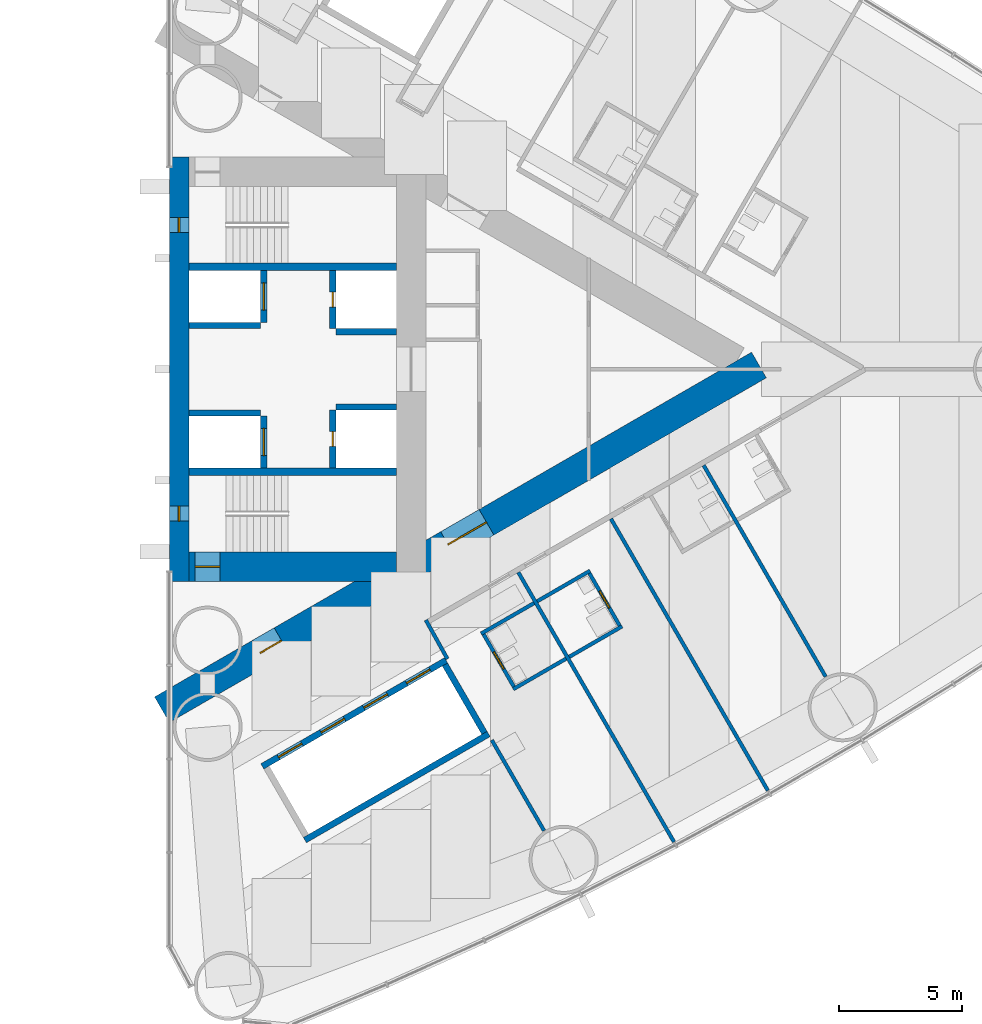
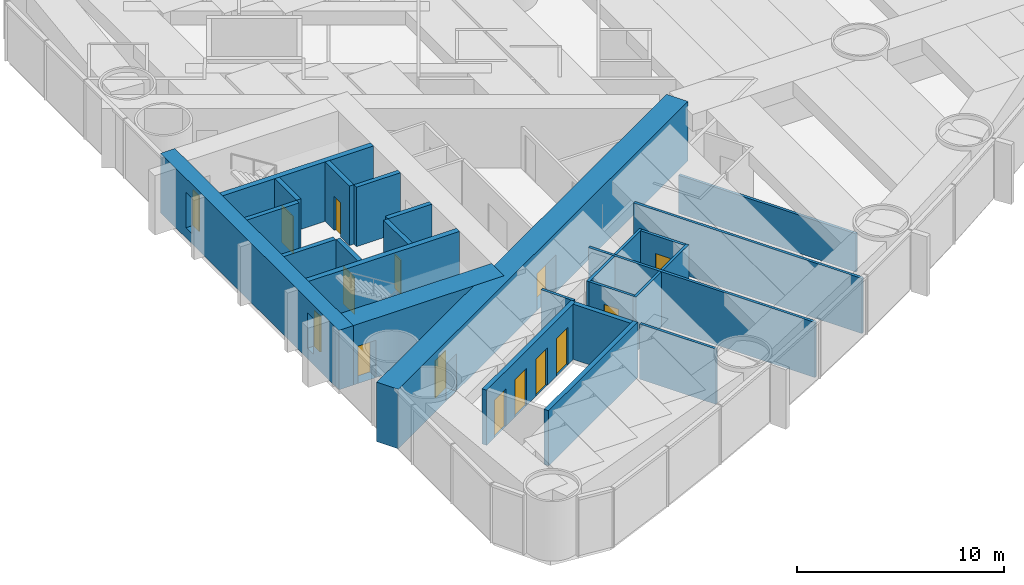
# One storey, part 14 of 19: 27 walls, 13 doors, 2 windows, 15 openings.
"""IFC4 building model written with IfcOpenShell, lengths in metres."""

from ifc_helpers import new_model, si_unit, direction, frame, frame_2d, origin, place, context, subcontext, project, spatial, rectangle, extrude, material, layer, layer_set, type_object, element, fill, save


model = new_model("IFC4")

# Units and contexts
model_context = context("Model", 3, precision=1e-05, world=origin(), true_north=direction((0.0, 1.0)))
body_context = subcontext(model_context, "Body", "Model", "MODEL_VIEW")
ifc_project = project(units=[si_unit("LENGTHUNIT", "METRE"), si_unit("AREAUNIT", "SQUARE_METRE"), si_unit("VOLUMEUNIT", "CUBIC_METRE"), si_unit("PLANEANGLEUNIT", "RADIAN"), si_unit("MASSUNIT", "GRAM", prefix="KILO")], contexts=[model_context])

# Site, building, storey
site_placement = place(None, origin())
site = spatial("IfcSite", under=ifc_project, at=site_placement, CompositionType="ELEMENT")
building_placement = place(site_placement, origin())
building = spatial("IfcBuilding", under=site, at=building_placement, Name="Lancet Gate Hotel", CompositionType="ELEMENT")
storey_placement = place(building_placement, frame((0.0, 0.0, 28.5)))
storey = spatial("IfcBuildingStorey", under=building, at=storey_placement, Name="L06", CompositionType="ELEMENT", Elevation=28.5)

# Wall
ifc_material_1 = material(Name="Moisture resistant board partition")
ifc_layer_1 = layer(ifc_material_1, 0.14990234375)
ifc_layer_set_1 = layer_set([ifc_layer_1], Name="Bathroom wall 150")
wall_type_1 = type_object("IfcWallType", Name="Bathroom wall 150", PredefinedType="PARTITIONING", material=ifc_layer_set_1)
wall_1_placement = place(storey_placement, frame((43.71240234375, -11.65673828125, 0.0), z_axis=(0.0, 0.0, 1.0), x_axis=(0.866006523861, 0.500032699561, 0.0)))
element("IfcWall", 1, at=wall_1_placement, inside=storey, type_object=wall_type_1, Name="T2 bathroom wall 150 L06", PredefinedType="PARTITIONING", context=body_context, shape_type="SweptSolid", body=[
    extrude(rectangle(XDim=2.474853515625, YDim=0.14990234375, at=frame_2d((1.2373046875, 0.0))), origin(), (0.0, 0.0, 1.0), 3.25),
])

# Wall, opening, door
wall_2_placement = place(storey_placement, frame((44.49072265625, -8.205078125, 0.0), z_axis=(0.0, 0.0, 1.0), x_axis=(0.500047596559, -0.865997922154, 0.0)))
wall_2 = element("IfcWall", 2, at=wall_2_placement, inside=storey, type_object=wall_type_1, Name="T2 bathroom wall 150 L06", PredefinedType="PARTITIONING", context=body_context, shape_type="SweptSolid", body=[
    extrude(rectangle(XDim=2.599853515625, YDim=0.14990234375, at=frame_2d((1.2998046875, 0.0))), origin(), (0.0, 0.0, 1.0), 3.25),
])
opening_1_placement = place(wall_2_placement, frame((0.89990234375, 0.0, 0.0)))
opening_1 = element("IfcOpeningElement", 3, at=opening_1_placement, cuts=wall_2, Name="Opening 0654-B", PredefinedType="OPENING", context=body_context, shape_type="SweptSolid", body=[
    extrude(rectangle(XDim=0.800048828125, YDim=2.199951171875, at=frame_2d((0.39990234375, 1.10009765625))), frame((0.0, 0.0849609375, 0.0), z_axis=(0.0, -1.0, 0.0), x_axis=(1.0, 0.0, 0.0)), (0.0, 0.0, 1.0), 0.169921875),
])
ifc_material_2 = material(Name="Timber door set", Category="wood")
door_type_1 = type_object("IfcDoorType", Name="Bathroom door 800", OperationType="SINGLE_SWING_RIGHT", PredefinedType="DOOR", material=ifc_material_2)
door_1_placement = place(opening_1_placement, origin())
door_1 = element("IfcDoor", 4, at=door_1_placement, inside=storey, type_object=door_type_1, Name="0654-B", OperationType="SINGLE_SWING_RIGHT", OverallHeight=2.199951171875, OverallWidth=0.800048828125, PredefinedType="DOOR", context=body_context, shape_type="SweptSolid", body=[
    extrude(rectangle(XDim=0.800048828125, YDim=2.199951171875, at=frame_2d((0.39990234375, 1.10009765625))), frame((0.0, 0.02490234375, 0.0), z_axis=(0.0, -1.0, 0.0), x_axis=(1.0, 0.0, 0.0)), (0.0, 0.0, 1.0), 0.050048828125),
])
fill(opening_1, door_1)

# Walls
wall_3_placement = place(storey_placement, frame((42.412353515625, -9.405029296875, 0.0), z_axis=(0.0, 0.0, 1.0), x_axis=(0.866006523861, 0.500032699561, 0.0)))
element("IfcWall", 5, at=wall_3_placement, inside=storey, type_object=wall_type_1, Name="T2 bathroom wall 150 L06", PredefinedType="PARTITIONING", context=body_context, shape_type="SweptSolid", body=[
    extrude(rectangle(XDim=2.474853515625, YDim=0.14990234375, at=frame_2d((1.2373046875, 0.0))), origin(), (0.0, 0.0, 1.0), 3.25),
])
wall_4_placement = place(storey_placement, frame((41.43896484375, -12.96923828125, 0.0), z_axis=(0.0, 0.0, 1.0), x_axis=(0.866031185235, 0.4999899861, 0.0)))
element("IfcWall", 6, at=wall_4_placement, inside=storey, type_object=wall_type_1, Name="T2 bathroom wall 150 L06", PredefinedType="PARTITIONING", context=body_context, shape_type="SweptSolid", body=[
    extrude(rectangle(XDim=2.47509765625, YDim=0.14990234375, at=frame_2d((1.237548828125, 0.0))), origin(), (0.0, 0.0, 1.0), 3.25),
])

# Wall, opening, door
wall_5_placement = place(storey_placement, frame((40.203857421875, -10.679931640625, 0.0), z_axis=(0.0, 0.0, 1.0), x_axis=(0.500006934395, -0.866021400173, 0.0)))
wall_5 = element("IfcWall", 7, at=wall_5_placement, inside=storey, type_object=wall_type_1, Name="T2 bathroom wall 150 L06", PredefinedType="PARTITIONING", context=body_context, shape_type="SweptSolid", body=[
    extrude(rectangle(XDim=2.60009765625, YDim=0.14990234375, at=frame_2d((1.300048828125, 0.0))), origin(), (0.0, 0.0, 1.0), 3.25),
])
opening_2_placement = place(wall_5_placement, frame((0.89990234375, 0.0, 0.0)))
opening_2 = element("IfcOpeningElement", 8, at=opening_2_placement, cuts=wall_5, Name="Opening 0653-B", PredefinedType="OPENING", context=body_context, shape_type="SweptSolid", body=[
    extrude(rectangle(XDim=0.800048828125, YDim=2.199951171875, at=frame_2d((0.39990234375, 1.10009765625))), frame((0.0, 0.0849609375, 0.0), z_axis=(0.0, -1.0, 0.0), x_axis=(1.0, 0.0, 0.0)), (0.0, 0.0, 1.0), 0.169921875),
])
door_2_placement = place(opening_2_placement, origin())
door_2 = element("IfcDoor", 9, at=door_2_placement, inside=storey, type_object=door_type_1, Name="0653-B", OperationType="SINGLE_SWING_RIGHT", OverallHeight=2.199951171875, OverallWidth=0.800048828125, PredefinedType="DOOR", context=body_context, shape_type="SweptSolid", body=[
    extrude(rectangle(XDim=0.800048828125, YDim=2.199951171875, at=frame_2d((0.39990234375, 1.10009765625))), frame((0.0, 0.02490234375, 0.0), z_axis=(0.0, -1.0, 0.0), x_axis=(1.0, 0.0, 0.0)), (0.0, 0.0, 1.0), 0.050048828125),
])
fill(opening_2, door_2)

# Wall
wall_6_placement = place(storey_placement, frame((40.138916015625, -10.717529296875, 0.0), z_axis=(0.0, 0.0, 1.0), x_axis=(0.866031185235, 0.4999899861, 0.0)))
element("IfcWall", 10, at=wall_6_placement, inside=storey, type_object=wall_type_1, Name="T2 bathroom wall 150 L06", PredefinedType="PARTITIONING", context=body_context, shape_type="SweptSolid", body=[
    extrude(rectangle(XDim=2.47509765625, YDim=0.14990234375, at=frame_2d((1.237548828125, 0.0))), origin(), (0.0, 0.0, 1.0), 3.25),
])

# Wall, openings, doors
ifc_material_3 = material(Name="Concrete C70/85", Category="concrete")
ifc_layer_2 = layer(ifc_material_3, 1.199951171875)
ifc_layer_set_2 = layer_set([ifc_layer_2], Name="Buttress wall 1200")
wall_type_2 = type_object("IfcWallType", Name="Buttress wall 1200", PredefinedType="SHEAR", material=ifc_layer_set_2)
wall_7_placement = place(storey_placement, frame((27.199951171875, -13.800048828125, 0.0), z_axis=(0.0, 0.0, 1.0), x_axis=(0.866027159892, 0.499996958321, 0.0)))
wall_7 = element("IfcWall", 11, at=wall_7_placement, inside=storey, type_object=wall_type_2, Name="T2 buttress wall S L06", PredefinedType="SHEAR", context=body_context, shape_type="SweptSolid", body=[
    extrude(rectangle(XDim=27.946533203125, YDim=1.199951171875, at=frame_2d((13.97314453125, 0.0))), origin(), (0.0, 0.0, 1.0), 3.5),
])
opening_3_placement = place(wall_7_placement, frame((4.60009765625, 0.0, 0.0)))
opening_3 = element("IfcOpeningElement", 12, at=opening_3_placement, cuts=wall_7, Name="Opening T2-L06-LS", PredefinedType="OPENING", context=body_context, shape_type="SweptSolid", body=[
    extrude(rectangle(XDim=1.0, YDim=2.199951171875, at=frame_2d((0.5, 1.10009765625))), frame((0.0, 0.60986328125, 0.0), z_axis=(0.0, -1.0, 0.0), x_axis=(1.0, 0.0, 0.0)), (0.0, 0.0, 1.0), 1.219970703125),
])
opening_4_placement = place(wall_7_placement, frame((13.39453125, 0.0, 0.0)))
opening_4 = element("IfcOpeningElement", 13, at=opening_4_placement, cuts=wall_7, Name="Opening T2-L06-LHS", PredefinedType="OPENING", context=body_context, shape_type="SweptSolid", body=[
    extrude(rectangle(XDim=1.800048828125, YDim=2.199951171875, at=frame_2d((0.89990234375, 1.10009765625))), frame((0.0, 0.60986328125, 0.0), z_axis=(0.0, -1.0, 0.0), x_axis=(1.0, 0.0, 0.0)), (0.0, 0.0, 1.0), 1.219970703125),
])
ifc_material_4 = material(Name="Timber door set", Category="wood")
door_type_2 = type_object("IfcDoorType", Name="Lobby double door 1800", OperationType="DOUBLE_DOOR_SINGLE_SWING", PredefinedType="DOOR", material=ifc_material_4)
door_3_placement = place(opening_4_placement, origin())
door_3 = element("IfcDoor", 14, at=door_3_placement, inside=storey, type_object=door_type_2, Name="T2-L06-LHS", OperationType="DOUBLE_DOOR_SINGLE_SWING", OverallHeight=2.199951171875, OverallWidth=1.800048828125, PredefinedType="DOOR", context=body_context, shape_type="SweptSolid", body=[
    extrude(rectangle(XDim=1.800048828125, YDim=2.199951171875, at=frame_2d((0.89990234375, 1.10009765625))), frame((0.0, 0.02490234375, 0.0), z_axis=(0.0, -1.0, 0.0), x_axis=(1.0, 0.0, 0.0)), (0.0, 0.0, 1.0), 0.050048828125),
])
fill(opening_4, door_3)
ifc_material_5 = material(Name="Timber door set", Category="wood")
door_type_3 = type_object("IfcDoorType", Name="Stair lobby door 1000", OperationType="SINGLE_SWING_LEFT", PredefinedType="DOOR", material=ifc_material_5)
door_4_placement = place(opening_3_placement, origin())
door_4 = element("IfcDoor", 15, at=door_4_placement, inside=storey, type_object=door_type_3, Name="T2-L06-LS", OperationType="SINGLE_SWING_LEFT", OverallHeight=2.199951171875, OverallWidth=1.0, PredefinedType="DOOR", context=body_context, shape_type="SweptSolid", body=[
    extrude(rectangle(XDim=1.0, YDim=2.199951171875, at=frame_2d((0.5, 1.10009765625))), frame((0.0, 0.02490234375, 0.0), z_axis=(0.0, -1.0, 0.0), x_axis=(1.0, 0.0, 0.0)), (0.0, 0.0, 1.0), 0.050048828125),
])
fill(opening_3, door_4)

# Wall, opening, door
ifc_material_6 = material(Name="Concrete C70/85", Category="concrete")
ifc_layer_3 = layer(ifc_material_6, 1.199951171875)
ifc_layer_set_3 = layer_set([ifc_layer_3], Name="Core wall 1200")
wall_type_3 = type_object("IfcWallType", Name="Core wall 1200", PredefinedType="SHEAR", material=ifc_layer_set_3)
wall_8_placement = place(storey_placement, frame((28.300048828125, -8.0, 0.0), z_axis=(0.0, 0.0, 1.0), x_axis=(1.0, 0.0, 0.0)))
wall_8 = element("IfcWall", 16, at=wall_8_placement, inside=storey, type_object=wall_type_3, Name="T2 core wall side-S L06", PredefinedType="SHEAR", context=body_context, shape_type="SweptSolid", body=[
    extrude(rectangle(XDim=8.39990234375, YDim=1.199951171875, at=frame_2d((4.199951171875, 0.0))), origin(), (0.0, 0.0, 1.0), 3.5),
])
opening_5_placement = place(wall_8_placement, frame((0.25, 0.0, 0.0)))
opening_5 = element("IfcOpeningElement", 17, at=opening_5_placement, cuts=wall_8, Name="Opening T2-L06-ST1", PredefinedType="OPENING", context=body_context, shape_type="SweptSolid", body=[
    extrude(rectangle(XDim=1.0, YDim=2.199951171875, at=frame_2d((0.5, 1.10009765625))), frame((0.0, 0.60986328125, 0.0), z_axis=(0.0, -1.0, 0.0), x_axis=(1.0, 0.0, 0.0)), (0.0, 0.0, 1.0), 1.219970703125),
])
ifc_material_7 = material(Name="Timber door set", Category="wood")
door_type_4 = type_object("IfcDoorType", Name="Stair door 1000", OperationType="SINGLE_SWING_RIGHT", PredefinedType="DOOR", material=ifc_material_7)
door_5_placement = place(opening_5_placement, origin())
door_5 = element("IfcDoor", 18, at=door_5_placement, inside=storey, type_object=door_type_4, Name="T2-L06-ST1", OperationType="SINGLE_SWING_RIGHT", OverallHeight=2.199951171875, OverallWidth=1.0, PredefinedType="DOOR", context=body_context, shape_type="SweptSolid", body=[
    extrude(rectangle(XDim=1.0, YDim=2.199951171875, at=frame_2d((0.5, 1.10009765625))), frame((0.0, 0.02490234375, 0.0), z_axis=(0.0, -1.0, 0.0), x_axis=(1.0, 0.0, 0.0)), (0.0, 0.0, 1.0), 0.050048828125),
])
fill(opening_5, door_5)

# Wall, openings, windows
ifc_material_8 = material(Name="Concrete C70/85", Category="concrete")
ifc_layer_4 = layer(ifc_material_8, 0.800048828125)
ifc_layer_set_4 = layer_set([ifc_layer_4], Name="Core wall 800")
wall_type_4 = type_object("IfcWallType", Name="Core wall 800", PredefinedType="SHEAR", material=ifc_layer_set_4)
wall_9_placement = place(storey_placement, frame((27.89990234375, -8.60009765625, 0.0), z_axis=(0.0, 0.0, 1.0), x_axis=(0.0, 1.0, 0.0)))
wall_9 = element("IfcWall", 19, at=wall_9_placement, inside=storey, type_object=wall_type_4, Name="T2 core wall front L06", PredefinedType="SHEAR", context=body_context, shape_type="SweptSolid", body=[
    extrude(rectangle(XDim=17.2001953125, YDim=0.800048828125, at=frame_2d((8.60009765625, 0.0))), origin(), (0.0, 0.0, 1.0), 3.5),
])
opening_6_placement = place(wall_9_placement, frame((2.449951171875, 0.0, 0.60009765625)))
opening_6 = element("IfcOpeningElement", 20, at=opening_6_placement, cuts=wall_9, Name="Opening LW1", PredefinedType="OPENING", context=body_context, shape_type="SweptSolid", body=[
    extrude(rectangle(XDim=0.60009765625, YDim=2.10009765625, at=frame_2d((0.300048828125, 1.050048828125))), frame((0.0, 0.409912109375, 0.0), z_axis=(0.0, -1.0, 0.0), x_axis=(1.0, 0.0, 0.0)), (0.0, 0.0, 1.0), 0.820068359375),
])
opening_7_placement = place(wall_9_placement, frame((14.14990234375, 0.0, 0.60009765625)))
opening_7 = element("IfcOpeningElement", 21, at=opening_7_placement, cuts=wall_9, Name="Opening LW1", PredefinedType="OPENING", context=body_context, shape_type="SweptSolid", body=[
    extrude(rectangle(XDim=0.60009765625, YDim=2.10009765625, at=frame_2d((0.300048828125, 1.050048828125))), frame((0.0, 0.409912109375, 0.0), z_axis=(0.0, -1.0, 0.0), x_axis=(1.0, 0.0, 0.0)), (0.0, 0.0, 1.0), 0.820068359375),
])
ifc_material_9 = material(Name="Fire-resisting glazed steel window", Category="steel")
window_type = type_object("IfcWindowType", Name="Lancet window 600x2100", PartitioningType="SINGLE_PANEL", PredefinedType="WINDOW", material=ifc_material_9)
window_1_placement = place(opening_6_placement, origin())
window_1 = element("IfcWindow", 22, at=window_1_placement, inside=storey, type_object=window_type, Name="T2 stair window S L06", OverallHeight=2.10009765625, OverallWidth=0.60009765625, PartitioningType="SINGLE_PANEL", PredefinedType="WINDOW", context=body_context, shape_type="SweptSolid", body=[
    extrude(rectangle(XDim=0.60009765625, YDim=2.10009765625, at=frame_2d((0.300048828125, 1.050048828125))), frame((0.0, 0.030029296875, 0.0), z_axis=(0.0, -1.0, 0.0), x_axis=(1.0, 0.0, 0.0)), (0.0, 0.0, 1.0), 0.06005859375),
])
fill(opening_6, window_1)
window_2_placement = place(opening_7_placement, origin())
window_2 = element("IfcWindow", 23, at=window_2_placement, inside=storey, type_object=window_type, Name="T2 stair window N L06", OverallHeight=2.10009765625, OverallWidth=0.60009765625, PartitioningType="SINGLE_PANEL", PredefinedType="WINDOW", context=body_context, shape_type="SweptSolid", body=[
    extrude(rectangle(XDim=0.60009765625, YDim=2.10009765625, at=frame_2d((0.300048828125, 1.050048828125))), frame((0.0, 0.030029296875, 0.0), z_axis=(0.0, -1.0, 0.0), x_axis=(1.0, 0.0, 0.0)), (0.0, 0.0, 1.0), 0.06005859375),
])
fill(opening_7, window_2)

# Wall, openings, doors
ifc_material_10 = material(Name="Gypsum board partition")
ifc_layer_5 = layer(ifc_material_10, 0.25)
ifc_layer_set_5 = layer_set([ifc_layer_5], Name="Lift shaft partition 250")
wall_type_5 = type_object("IfcWallType", Name="Lift shaft partition 250", PredefinedType="PARTITIONING", material=ifc_layer_set_5)
wall_10_placement = place(storey_placement, frame((31.2705078125, -16.09716796875, 0.0), z_axis=(0.0, 0.0, 1.0), x_axis=(0.86604045752, 0.499973925258, 0.0)))
wall_10 = element("IfcWall", 24, at=wall_10_placement, inside=storey, type_object=wall_type_5, Name="T2 lift shaft wall LR L06", PredefinedType="PARTITIONING", context=body_context, shape_type="SweptSolid", body=[
    extrude(rectangle(XDim=8.60009765625, YDim=0.25, at=frame_2d((4.300048828125, 0.0))), origin(), (0.0, 0.0, 1.0), 3.25),
])
opening_8_placement = place(wall_10_placement, frame((0.75, 0.0, 0.0)))
opening_8 = element("IfcOpeningElement", 25, at=opening_8_placement, cuts=wall_10, Name="Opening T2-LR1-L06", PredefinedType="OPENING", context=body_context, shape_type="SweptSolid", body=[
    extrude(rectangle(XDim=1.10009765625, YDim=2.199951171875, at=frame_2d((0.550048828125, 1.10009765625))), frame((0.0, 0.135009765625, 0.0), z_axis=(0.0, -1.0, 0.0), x_axis=(1.0, 0.0, 0.0)), (0.0, 0.0, 1.0), 0.27001953125),
])
opening_9_placement = place(wall_10_placement, frame((2.75, 0.0, 0.0)))
opening_9 = element("IfcOpeningElement", 26, at=opening_9_placement, cuts=wall_10, Name="Opening T2-LR2-L06", PredefinedType="OPENING", context=body_context, shape_type="SweptSolid", body=[
    extrude(rectangle(XDim=1.10009765625, YDim=2.199951171875, at=frame_2d((0.550048828125, 1.10009765625))), frame((0.0, 0.135009765625, 0.0), z_axis=(0.0, -1.0, 0.0), x_axis=(1.0, 0.0, 0.0)), (0.0, 0.0, 1.0), 0.27001953125),
])
opening_10_placement = place(wall_10_placement, frame((4.75, 0.0, 0.0)))
opening_10 = element("IfcOpeningElement", 27, at=opening_10_placement, cuts=wall_10, Name="Opening T2-LR3-L06", PredefinedType="OPENING", context=body_context, shape_type="SweptSolid", body=[
    extrude(rectangle(XDim=1.10009765625, YDim=2.199951171875, at=frame_2d((0.550048828125, 1.10009765625))), frame((0.0, 0.135009765625, 0.0), z_axis=(0.0, -1.0, 0.0), x_axis=(1.0, 0.0, 0.0)), (0.0, 0.0, 1.0), 0.27001953125),
])
opening_11_placement = place(wall_10_placement, frame((6.75, 0.0, 0.0)))
opening_11 = element("IfcOpeningElement", 28, at=opening_11_placement, cuts=wall_10, Name="Opening T2-LR4-L06", PredefinedType="OPENING", context=body_context, shape_type="SweptSolid", body=[
    extrude(rectangle(XDim=1.10009765625, YDim=2.199951171875, at=frame_2d((0.550048828125, 1.10009765625))), frame((0.0, 0.135009765625, 0.0), z_axis=(0.0, -1.0, 0.0), x_axis=(1.0, 0.0, 0.0)), (0.0, 0.0, 1.0), 0.27001953125),
])
ifc_material_11 = material(Name="Steel door set", Category="steel")
door_type_5 = type_object("IfcDoorType", Name="Lift landing door 1100", OperationType="DOUBLE_DOOR_SLIDING", PredefinedType="USERDEFINED", material=ifc_material_11)
door_6_placement = place(opening_8_placement, origin())
door_6 = element("IfcDoor", 29, at=door_6_placement, inside=storey, type_object=door_type_5, Name="T2-LR1-L06", ObjectType="LIFT LANDING DOOR", OperationType="DOUBLE_DOOR_SLIDING", OverallHeight=2.199951171875, OverallWidth=1.10009765625, PredefinedType="USERDEFINED", context=body_context, shape_type="SweptSolid", body=[
    extrude(rectangle(XDim=1.10009765625, YDim=2.199951171875, at=frame_2d((0.550048828125, 1.10009765625))), frame((0.0, 0.02490234375, 0.0), z_axis=(0.0, -1.0, 0.0), x_axis=(1.0, 0.0, 0.0)), (0.0, 0.0, 1.0), 0.050048828125),
])
fill(opening_8, door_6)
door_7_placement = place(opening_9_placement, origin())
door_7 = element("IfcDoor", 30, at=door_7_placement, inside=storey, type_object=door_type_5, Name="T2-LR2-L06", ObjectType="LIFT LANDING DOOR", OperationType="DOUBLE_DOOR_SLIDING", OverallHeight=2.199951171875, OverallWidth=1.10009765625, PredefinedType="USERDEFINED", context=body_context, shape_type="SweptSolid", body=[
    extrude(rectangle(XDim=1.10009765625, YDim=2.199951171875, at=frame_2d((0.550048828125, 1.10009765625))), frame((0.0, 0.02490234375, 0.0), z_axis=(0.0, -1.0, 0.0), x_axis=(1.0, 0.0, 0.0)), (0.0, 0.0, 1.0), 0.050048828125),
])
fill(opening_9, door_7)
door_8_placement = place(opening_10_placement, origin())
door_8 = element("IfcDoor", 31, at=door_8_placement, inside=storey, type_object=door_type_5, Name="T2-LR3-L06", ObjectType="LIFT LANDING DOOR", OperationType="DOUBLE_DOOR_SLIDING", OverallHeight=2.199951171875, OverallWidth=1.10009765625, PredefinedType="USERDEFINED", context=body_context, shape_type="SweptSolid", body=[
    extrude(rectangle(XDim=1.10009765625, YDim=2.199951171875, at=frame_2d((0.550048828125, 1.10009765625))), frame((0.0, 0.02490234375, 0.0), z_axis=(0.0, -1.0, 0.0), x_axis=(1.0, 0.0, 0.0)), (0.0, 0.0, 1.0), 0.050048828125),
])
fill(opening_10, door_8)
door_9_placement = place(opening_11_placement, origin())
door_9 = element("IfcDoor", 32, at=door_9_placement, inside=storey, type_object=door_type_5, Name="T2-LR4-L06", ObjectType="LIFT LANDING DOOR", OperationType="DOUBLE_DOOR_SLIDING", OverallHeight=2.199951171875, OverallWidth=1.10009765625, PredefinedType="USERDEFINED", context=body_context, shape_type="SweptSolid", body=[
    extrude(rectangle(XDim=1.10009765625, YDim=2.199951171875, at=frame_2d((0.550048828125, 1.10009765625))), frame((0.0, 0.02490234375, 0.0), z_axis=(0.0, -1.0, 0.0), x_axis=(1.0, 0.0, 0.0)), (0.0, 0.0, 1.0), 0.050048828125),
])
fill(opening_11, door_9)

# Walls
wall_11_placement = place(storey_placement, frame((32.99560546875, -19.085693359375, 0.0), z_axis=(0.0, 0.0, 1.0), x_axis=(0.866028165386, 0.499995216735, 0.0)))
element("IfcWall", 33, at=wall_11_placement, inside=storey, type_object=wall_type_5, Name="T2 lift shaft wall LR L06", PredefinedType="PARTITIONING", context=body_context, shape_type="SweptSolid", body=[
    extrude(rectangle(XDim=8.60009765625, YDim=0.25, at=frame_2d((4.300048828125, 0.0))), origin(), (0.0, 0.0, 1.0), 3.25),
])
wall_12_placement = place(storey_placement, frame((38.672607421875, -11.968017578125, 0.0), z_axis=(0.0, 0.0, 1.0), x_axis=(0.499929347863, -0.866066190972, 0.0)))
element("IfcWall", 34, at=wall_12_placement, inside=storey, type_object=wall_type_5, Name="T2 lift shaft wall LR L06", PredefinedType="PARTITIONING", context=body_context, shape_type="SweptSolid", body=[
    extrude(rectangle(XDim=3.20068359375, YDim=0.25, at=frame_2d((1.600341796875, 0.0))), origin(), (0.0, 0.0, 1.0), 3.25),
])

# Wall, opening, door
ifc_material_12 = material(Name="Concrete C50/60", Category="concrete")
ifc_layer_6 = layer(ifc_material_12, 0.25)
ifc_layer_set_6 = layer_set([ifc_layer_6], Name="Lift shaft wall 250")
wall_type_6 = type_object("IfcWallType", Name="Lift shaft wall 250", PredefinedType="SHEAR", material=ifc_layer_set_6)
wall_13_placement = place(storey_placement, frame((31.324951171875, -4.0, 0.0), z_axis=(0.0, 0.0, 1.0), x_axis=(0.0, 1.0, 0.0)))
wall_13 = element("IfcWall", 35, at=wall_13_placement, inside=storey, type_object=wall_type_6, Name="T2 core wall row1-S L06", PredefinedType="SHEAR", context=body_context, shape_type="SweptSolid", body=[
    extrude(rectangle(XDim=2.10009765625, YDim=0.25, at=frame_2d((1.050048828125, 0.0))), origin(), (0.0, 0.0, 1.0), 3.5),
])
opening_12_placement = place(wall_13_placement, frame((0.5, 0.0, 0.0)))
opening_12 = element("IfcOpeningElement", 36, at=opening_12_placement, cuts=wall_13, Name="Opening T2-SL1-L06", PredefinedType="OPENING", context=body_context, shape_type="SweptSolid", body=[
    extrude(rectangle(XDim=1.10009765625, YDim=2.199951171875, at=frame_2d((0.550048828125, 1.10009765625))), frame((0.0, 0.135009765625, 0.0), z_axis=(0.0, -1.0, 0.0), x_axis=(1.0, 0.0, 0.0)), (0.0, 0.0, 1.0), 0.27001953125),
])
ifc_material_13 = material(Name="Timber door set", Category="wood")
door_type_6 = type_object("IfcDoorType", Name="Service lift landing door 1100", OperationType="SLIDING_TO_LEFT", PredefinedType="USERDEFINED", material=ifc_material_13)
door_10_placement = place(opening_12_placement, origin())
door_10 = element("IfcDoor", 37, at=door_10_placement, inside=storey, type_object=door_type_6, Name="T2-SL1-L06", ObjectType="LIFT LANDING DOOR", OperationType="SLIDING_TO_LEFT", OverallHeight=2.199951171875, OverallWidth=1.10009765625, PredefinedType="USERDEFINED", context=body_context, shape_type="SweptSolid", body=[
    extrude(rectangle(XDim=1.10009765625, YDim=2.199951171875, at=frame_2d((0.550048828125, 1.10009765625))), frame((0.0, 0.02490234375, 0.0), z_axis=(0.0, -1.0, 0.0), x_axis=(1.0, 0.0, 0.0)), (0.0, 0.0, 1.0), 0.050048828125),
])
fill(opening_12, door_10)

wall_14_placement = place(storey_placement, frame((34.125, -4.0, 0.0), z_axis=(0.0, 0.0, 1.0), x_axis=(0.0, 1.0, 0.0)))
wall_14 = element("IfcWall", 38, at=wall_14_placement, inside=storey, type_object=wall_type_6, Name="T2 core wall row2-S L06", PredefinedType="SHEAR", context=body_context, shape_type="SweptSolid", body=[
    extrude(rectangle(XDim=2.35009765625, YDim=0.25, at=frame_2d((1.175048828125, 0.0))), origin(), (0.0, 0.0, 1.0), 3.5),
])
opening_13_placement = place(wall_14_placement, frame((0.875, 0.0, 0.0)))
opening_13 = element("IfcOpeningElement", 39, at=opening_13_placement, cuts=wall_14, Name="Opening T2-OL3-L06-E", PredefinedType="OPENING", context=body_context, shape_type="SweptSolid", body=[
    extrude(rectangle(XDim=0.60009765625, YDim=2.0, at=frame_2d((0.300048828125, 1.0))), frame((0.0, 0.135009765625, 0.0), z_axis=(0.0, -1.0, 0.0), x_axis=(1.0, 0.0, 0.0)), (0.0, 0.0, 1.0), 0.27001953125),
])
ifc_material_14 = material(Name="Steel door set", Category="steel")
door_type_7 = type_object("IfcDoorType", Name="Lift shaft emergency door 600x2000", OperationType="SLIDING_TO_LEFT", PredefinedType="DOOR", material=ifc_material_14)
door_11_placement = place(opening_13_placement, origin())
door_11 = element("IfcDoor", 40, at=door_11_placement, inside=storey, type_object=door_type_7, Name="T2-OL3-L06-E", OperationType="SLIDING_TO_LEFT", OverallHeight=2.0, OverallWidth=0.60009765625, PredefinedType="DOOR", context=body_context, shape_type="SweptSolid", body=[
    extrude(rectangle(XDim=0.60009765625, YDim=2.0, at=frame_2d((0.300048828125, 1.0))), frame((0.0, 0.02490234375, 0.0), z_axis=(0.0, -1.0, 0.0), x_axis=(1.0, 0.0, 0.0)), (0.0, 0.0, 1.0), 0.050048828125),
])
fill(opening_13, door_11)

# Walls
wall_15_placement = place(storey_placement, frame((28.300048828125, -1.77490234375, 0.0), z_axis=(0.0, 0.0, 1.0), x_axis=(1.0, 0.0, 0.0)))
element("IfcWall", 41, at=wall_15_placement, inside=storey, type_object=wall_type_6, Name="T2 core wall pass1-S L06", PredefinedType="SHEAR", context=body_context, shape_type="SweptSolid", body=[
    extrude(rectangle(XDim=2.89990234375, YDim=0.25, at=frame_2d((1.449951171875, 0.0))), origin(), (0.0, 0.0, 1.0), 3.5),
])
wall_16_placement = place(storey_placement, frame((34.25, -1.52490234375, 0.0), z_axis=(0.0, 0.0, 1.0), x_axis=(1.0, 0.0, 0.0)))
element("IfcWall", 42, at=wall_16_placement, inside=storey, type_object=wall_type_6, Name="T2 core wall pass2-S L06", PredefinedType="SHEAR", context=body_context, shape_type="SweptSolid", body=[
    extrude(rectangle(XDim=2.449951171875, YDim=0.25, at=frame_2d((1.22509765625, 0.0))), origin(), (0.0, 0.0, 1.0), 3.5),
])

# Wall, opening, door
wall_17_placement = place(storey_placement, frame((31.324951171875, 1.89990234375, 0.0), z_axis=(0.0, 0.0, 1.0), x_axis=(0.0, 1.0, 0.0)))
wall_17 = element("IfcWall", 43, at=wall_17_placement, inside=storey, type_object=wall_type_6, Name="T2 core wall row1-N L06", PredefinedType="SHEAR", context=body_context, shape_type="SweptSolid", body=[
    extrude(rectangle(XDim=2.10009765625, YDim=0.25, at=frame_2d((1.050048828125, 0.0))), origin(), (0.0, 0.0, 1.0), 3.5),
])
opening_14_placement = place(wall_17_placement, frame((0.5, 0.0, 0.0)))
opening_14 = element("IfcOpeningElement", 44, at=opening_14_placement, cuts=wall_17, Name="Opening T2-FL2-L06", PredefinedType="OPENING", context=body_context, shape_type="SweptSolid", body=[
    extrude(rectangle(XDim=1.10009765625, YDim=2.199951171875, at=frame_2d((0.550048828125, 1.10009765625))), frame((0.0, 0.135009765625, 0.0), z_axis=(0.0, -1.0, 0.0), x_axis=(1.0, 0.0, 0.0)), (0.0, 0.0, 1.0), 0.27001953125),
])
ifc_material_15 = material(Name="Steel door set", Category="steel")
door_type_8 = type_object("IfcDoorType", Name="Firefighting lift landing door 1100", OperationType="SLIDING_TO_LEFT", PredefinedType="USERDEFINED", material=ifc_material_15)
door_12_placement = place(opening_14_placement, origin())
door_12 = element("IfcDoor", 45, at=door_12_placement, inside=storey, type_object=door_type_8, Name="T2-FL2-L06", ObjectType="LIFT LANDING DOOR", OperationType="SLIDING_TO_LEFT", OverallHeight=2.199951171875, OverallWidth=1.10009765625, PredefinedType="USERDEFINED", context=body_context, shape_type="SweptSolid", body=[
    extrude(rectangle(XDim=1.10009765625, YDim=2.199951171875, at=frame_2d((0.550048828125, 1.10009765625))), frame((0.0, 0.02490234375, 0.0), z_axis=(0.0, -1.0, 0.0), x_axis=(1.0, 0.0, 0.0)), (0.0, 0.0, 1.0), 0.050048828125),
])
fill(opening_14, door_12)

wall_18_placement = place(storey_placement, frame((34.125, 1.64990234375, 0.0), z_axis=(0.0, 0.0, 1.0), x_axis=(0.0, 1.0, 0.0)))
wall_18 = element("IfcWall", 46, at=wall_18_placement, inside=storey, type_object=wall_type_6, Name="T2 core wall row2-N L06", PredefinedType="SHEAR", context=body_context, shape_type="SweptSolid", body=[
    extrude(rectangle(XDim=2.35009765625, YDim=0.25, at=frame_2d((1.175048828125, 0.0))), origin(), (0.0, 0.0, 1.0), 3.5),
])
opening_15_placement = place(wall_18_placement, frame((0.875, 0.0, 0.0)))
opening_15 = element("IfcOpeningElement", 47, at=opening_15_placement, cuts=wall_18, Name="Opening T2-OL4-L06-E", PredefinedType="OPENING", context=body_context, shape_type="SweptSolid", body=[
    extrude(rectangle(XDim=0.60009765625, YDim=2.0, at=frame_2d((0.300048828125, 1.0))), frame((0.0, 0.135009765625, 0.0), z_axis=(0.0, -1.0, 0.0), x_axis=(1.0, 0.0, 0.0)), (0.0, 0.0, 1.0), 0.27001953125),
])
door_13_placement = place(opening_15_placement, origin())
door_13 = element("IfcDoor", 48, at=door_13_placement, inside=storey, type_object=door_type_7, Name="T2-OL4-L06-E", OperationType="SLIDING_TO_LEFT", OverallHeight=2.0, OverallWidth=0.60009765625, PredefinedType="DOOR", context=body_context, shape_type="SweptSolid", body=[
    extrude(rectangle(XDim=0.60009765625, YDim=2.0, at=frame_2d((0.300048828125, 1.0))), frame((0.0, 0.02490234375, 0.0), z_axis=(0.0, -1.0, 0.0), x_axis=(1.0, 0.0, 0.0)), (0.0, 0.0, 1.0), 0.050048828125),
])
fill(opening_15, door_13)

# Walls
wall_19_placement = place(storey_placement, frame((28.300048828125, 1.77490234375, 0.0), z_axis=(0.0, 0.0, 1.0), x_axis=(1.0, 0.0, 0.0)))
element("IfcWall", 49, at=wall_19_placement, inside=storey, type_object=wall_type_6, Name="T2 core wall pass1-N L06", PredefinedType="SHEAR", context=body_context, shape_type="SweptSolid", body=[
    extrude(rectangle(XDim=2.89990234375, YDim=0.25, at=frame_2d((1.449951171875, 0.0))), origin(), (0.0, 0.0, 1.0), 3.5),
])
wall_20_placement = place(storey_placement, frame((34.25, 1.52490234375, 0.0), z_axis=(0.0, 0.0, 1.0), x_axis=(1.0, 0.0, 0.0)))
element("IfcWall", 50, at=wall_20_placement, inside=storey, type_object=wall_type_6, Name="T2 core wall pass2-N L06", PredefinedType="SHEAR", context=body_context, shape_type="SweptSolid", body=[
    extrude(rectangle(XDim=2.449951171875, YDim=0.25, at=frame_2d((1.22509765625, 0.0))), origin(), (0.0, 0.0, 1.0), 3.5),
])
ifc_material_16 = material(Name="Gypsum board partition")
ifc_layer_7 = layer(ifc_material_16, 0.14990234375)
ifc_layer_set_7 = layer_set([ifc_layer_7], Name="Party wall 150")
wall_type_7 = type_object("IfcWallType", Name="Party wall 150", PredefinedType="PARTITIONING", material=ifc_layer_set_7)
wall_21_placement = place(storey_placement, frame((41.6474609375, -8.22998046875, 0.0), z_axis=(0.0, 0.0, 1.0), x_axis=(0.49998590462, -0.866033541603, 0.0)))
element("IfcWall", 51, at=wall_21_placement, inside=storey, type_object=wall_type_7, Name="T2 party wall 150 L06", PredefinedType="PARTITIONING", context=body_context, shape_type="SweptSolid", body=[
    extrude(rectangle(XDim=12.620849609375, YDim=0.14990234375, at=frame_2d((6.310546875, 0.0))), origin(), (0.0, 0.0, 1.0), 3.25),
])
wall_22_placement = place(storey_placement, frame((45.40283203125, -6.061767578125, 0.0), z_axis=(0.0, 0.0, 1.0), x_axis=(0.500007077968, -0.866021317279, 0.0)))
element("IfcWall", 52, at=wall_22_placement, inside=storey, type_object=wall_type_7, Name="T2 party wall 150 L06", PredefinedType="PARTITIONING", context=body_context, shape_type="SweptSolid", body=[
    extrude(rectangle(XDim=12.721435546875, YDim=0.14990234375, at=frame_2d((6.36083984375, 0.0))), origin(), (0.0, 0.0, 1.0), 3.25),
])
wall_23_placement = place(storey_placement, frame((49.159423828125, -3.892822265625, 0.0), z_axis=(0.0, 0.0, 1.0), x_axis=(0.499998773722, -0.866026111775, 0.0)))
element("IfcWall", 53, at=wall_23_placement, inside=storey, type_object=wall_type_7, Name="T2 party wall 150 L06", PredefinedType="PARTITIONING", context=body_context, shape_type="SweptSolid", body=[
    extrude(rectangle(XDim=9.8916015625, YDim=0.14990234375, at=frame_2d((4.94580078125, 0.0))), origin(), (0.0, 0.0, 1.0), 2.25),
])
wall_24_placement = place(storey_placement, frame((40.5703125, -15.030029296875, 0.0), z_axis=(0.0, 0.0, 1.0), x_axis=(0.500012993597, -0.866017901798, 0.0)))
element("IfcWall", 54, at=wall_24_placement, inside=storey, type_object=wall_type_7, Name="T2 party wall 150 L06", PredefinedType="PARTITIONING", context=body_context, shape_type="SweptSolid", body=[
    extrude(rectangle(XDim=4.2431640625, YDim=0.14990234375, at=frame_2d((2.12158203125, 0.0))), origin(), (0.0, 0.0, 1.0), 3.25),
])
ifc_material_17 = material(Name="Gypsum board partition")
ifc_layer_8 = layer(ifc_material_17, 0.14990234375)
ifc_layer_set_8 = layer_set([ifc_layer_8], Name="Service room wall 150")
wall_type_8 = type_object("IfcWallType", Name="Service room wall 150", PredefinedType="PARTITIONING", material=ifc_layer_set_8)
wall_25_placement = place(storey_placement, frame((38.7734375, -11.742431640625, 0.0), z_axis=(0.0, 0.0, 1.0), x_axis=(-0.485528096672, 0.8742210632, 0.0)))
element("IfcWall", 55, at=wall_25_placement, inside=storey, type_object=wall_type_8, Name="T2 service room wall 150 L06", PredefinedType="PARTITIONING", context=body_context, shape_type="SweptSolid", body=[
    extrude(rectangle(XDim=1.80517578125, YDim=0.14990234375, at=frame_2d((0.902587890625, 0.0))), origin(), (0.0, 0.0, 1.0), 3.25),
])
ifc_material_18 = material(Name="Concrete C50/60", Category="concrete")
ifc_layer_9 = layer(ifc_material_18, 0.300048828125)
ifc_layer_set_9 = layer_set([ifc_layer_9], Name="Stair enclosure wall 300")
wall_type_9 = type_object("IfcWallType", Name="Stair enclosure wall 300", PredefinedType="SHEAR", material=ifc_layer_set_9)
for number, where, z_axis, x_axis, name in (
    (56, (28.300048828125, -4.14990234375, 0.0), (0.0, 0.0, 1.0), (1.0, 0.0, 0.0), "T2 core wall stair-S L06"),
    (57, (28.300048828125, 4.14990234375, 0.0), (0.0, 0.0, 1.0), (1.0, 0.0, 0.0), "T2 core wall stair-N L06"),
):
    element("IfcWall", number, at=place(storey_placement, frame(where, z_axis=z_axis, x_axis=x_axis)), inside=storey, type_object=wall_type_9, Name=name, PredefinedType="SHEAR", context=body_context, shape_type="SweptSolid", body=[
        extrude(rectangle(XDim=8.39990234375, YDim=0.300048828125, at=frame_2d((4.199951171875, 0.0))), origin(), (0.0, 0.0, 1.0), 3.5),
    ])

save(model, "model.ifc")
